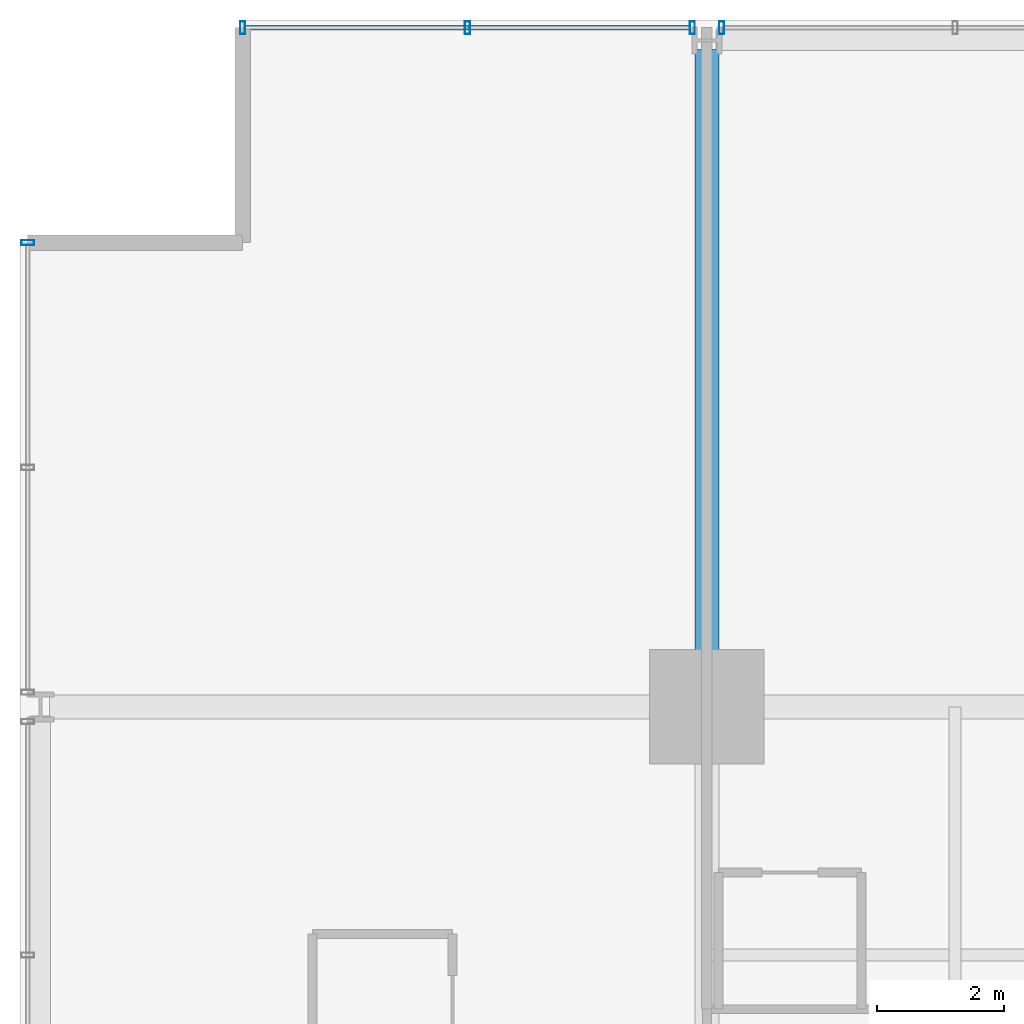
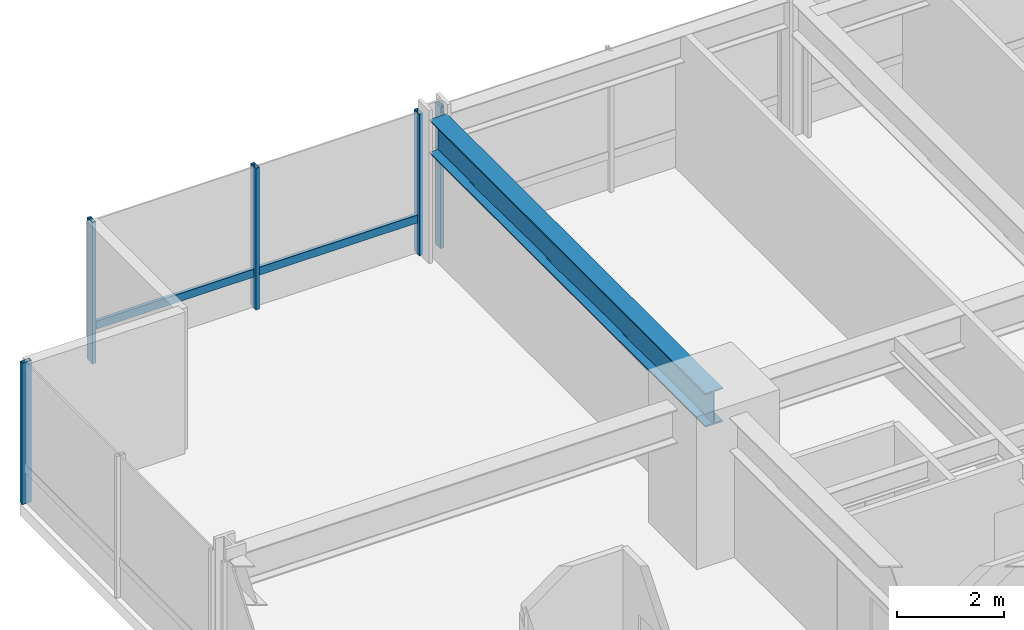
# One storey, part 21 of 38: 6 members, 1 beam, 3 elements without a shape of their own.
"""IFC4 building model written with IfcOpenShell, lengths in metres."""

import ifcopenshell
import ifcopenshell.guid

model = None  # the IFC model being written
_history = None  # IfcOwnerHistory: only IFC2X3 demands one
_inside = {}  # id of a spatial element -> (the spatial element, [elements in it])
_under = {}  # id of a project, library or spatial element -> (it, [spatial elements below it])
_declared = {}  # id of a project -> (the project, [libraries it declares])
_typed = {}  # id of a type object -> (the type object, [elements of that type])
_made_of = {}  # id of a material, layer set ... -> (it, [elements and type objects made of it])


def new_model(schema):
    """Start an empty IFC model of exactly this schema.

    Asked for "IFC4X3", IfcOpenShell would pick the latest addendum, in which some entities
    have other attributes; the version numbers below select the first issue.
    IFC2X3 requires an IfcOwnerHistory on every rooted entity: one is made here for all.
    """
    global model, _history
    if schema == "IFC4X3":
        model = ifcopenshell.file(schema_version=(4, 3, 0, 0))
    else:
        model = ifcopenshell.file(schema=schema)
    _inside.clear()
    _under.clear()
    _declared.clear()
    _typed.clear()
    _made_of.clear()
    _history = None
    if model.schema == "IFC2X3":
        org = make("IfcOrganization", Name="unknown")
        user = make(
            "IfcPersonAndOrganization",
            ThePerson=make("IfcPerson", FamilyName="unknown"),
            TheOrganization=org,
        )
        app = make(
            "IfcApplication",
            ApplicationDeveloper=org,
            Version="unknown",
            ApplicationFullName="unknown",
            ApplicationIdentifier="unknown",
        )
        _history = make(
            "IfcOwnerHistory",
            OwningUser=user,
            OwningApplication=app,
            ChangeAction="ADDED",
            CreationDate=0,
        )
    return model


def make(cls, **values):
    """One entity of the class cls with the attributes given. An attribute that is None is left unset."""
    return model.create_entity(
        cls, **{name: value for name, value in values.items() if value is not None}
    )


def rooted(cls, **values):
    """An entity with a GlobalId (a new one), such as an element, a storey or a relation."""
    return make(cls, GlobalId=ifcopenshell.guid.new(), OwnerHistory=_history, **values)


def si_unit(unit_type, name, prefix=None):
    """IfcSIUnit, for example si_unit("LENGTHUNIT", "METRE", prefix="MILLI")."""
    return make("IfcSIUnit", UnitType=unit_type, Prefix=prefix, Name=name)


def assignment(units):
    """IfcUnitAssignment: the units of a project."""
    return None if units is None else make("IfcUnitAssignment", Units=units)


def point(xyz):
    """IfcCartesianPoint."""
    return None if xyz is None else make("IfcCartesianPoint", Coordinates=xyz)


def direction(xyz):
    """IfcDirection."""
    return None if xyz is None else make("IfcDirection", DirectionRatios=xyz)


def frame(location, z_axis=None, x_axis=None):
    """IfcAxis2Placement3D, a coordinate frame: its origin and axes. An axis left out is left unset."""
    return make(
        "IfcAxis2Placement3D",
        Location=point(location),
        Axis=direction(z_axis),
        RefDirection=direction(x_axis),
    )


def frame_2d(location, x_axis=None):
    """IfcAxis2Placement2D, a coordinate frame in the plane: its origin and x axis."""
    return make(
        "IfcAxis2Placement2D", Location=point(location), RefDirection=direction(x_axis)
    )


def origin():
    """The frame at (0, 0, 0) with its axes left unset."""
    return frame((0.0, 0.0, 0.0))


def origin_2d():
    """The frame at (0, 0) in the plane with its x axis left unset."""
    return frame_2d((0.0, 0.0))


def place(relative_to, where):
    """IfcLocalPlacement: puts the frame where relative to a parent placement (None: the world)."""
    return make(
        "IfcLocalPlacement", PlacementRelTo=relative_to, RelativePlacement=where
    )


def context(
    kind, dimensions, precision=None, world=None, true_north=None, identifier=None
):
    """IfcGeometricRepresentationContext, for example the 3D "Model" context."""
    return make(
        "IfcGeometricRepresentationContext",
        ContextIdentifier=identifier,
        ContextType=kind,
        CoordinateSpaceDimension=dimensions,
        Precision=precision,
        WorldCoordinateSystem=world,
        TrueNorth=true_north,
    )


def subcontext(parent, identifier, kind, view, scale=None):
    """IfcGeometricRepresentationSubContext, for example "Body" below "Model"."""
    return make(
        "IfcGeometricRepresentationSubContext",
        ContextIdentifier=identifier,
        ContextType=kind,
        ParentContext=parent,
        TargetScale=scale,
        TargetView=view,
    )


def project(units=None, contexts=None):
    """IfcProject with its units and contexts."""
    return rooted(
        "IfcProject",
        Name="project",
        RepresentationContexts=contexts,
        UnitsInContext=assignment(units),
    )


def spatial(cls, under=None, at=None, **own):
    """A site, building, storey or space (cls), placed at a placement, below another one or the project."""
    s = rooted(cls, ObjectPlacement=at, **own)
    if under is not None:
        _under.setdefault(under.id(), (under, []))[1].append(s)
    return s


def profile(cls, at=None, kind="AREA", **sizes):
    """A parametric profile (cls). Its sizes go by their IFC names, for example OverallWidth=200.0."""
    return make(cls, ProfileType=kind, Position=at, **sizes)


def hollow_rectangle(**sizes):
    """IfcRectangleHollowProfileDef."""
    return profile("IfcRectangleHollowProfileDef", **sizes)


def i_section(**sizes):
    """IfcIShapeProfileDef."""
    return profile("IfcIShapeProfileDef", **sizes)


def extrude(swept, where, along, depth):
    """IfcExtrudedAreaSolid: the profile swept, set in the frame where, extruded along a direction by depth."""
    return make(
        "IfcExtrudedAreaSolid",
        SweptArea=swept,
        Position=where,
        ExtrudedDirection=direction(along),
        Depth=depth,
    )


def shape(context_of_items, identifier, shape_type, items):
    """IfcShapeRepresentation: the items that make up one representation, for example the "Body"."""
    return make(
        "IfcShapeRepresentation",
        ContextOfItems=context_of_items,
        RepresentationIdentifier=identifier,
        RepresentationType=shape_type,
        Items=items,
    )


def material(Name=None, Category=None):
    """IfcMaterial."""
    return make("IfcMaterial", Name=Name, Category=Category)


def layer(
    of_material, thickness, ventilated=None, Name=None, Category=None, Priority=None
):
    """IfcMaterialLayer: one layer of a wall or slab, of a material (None: an air gap)."""
    return make(
        "IfcMaterialLayer",
        Material=of_material,
        LayerThickness=thickness,
        IsVentilated=ventilated,
        Name=Name,
        Category=Category,
        Priority=Priority,
    )


def layer_set(layers, Name=None):
    """IfcMaterialLayerSet."""
    return make("IfcMaterialLayerSet", MaterialLayers=layers, LayerSetName=Name)


def material_profile(
    of_material, cross_section, Name=None, Category=None, Priority=None
):
    """IfcMaterialProfile: a cross section and its material."""
    return make(
        "IfcMaterialProfile",
        Name=Name,
        Material=of_material,
        Profile=cross_section,
        Priority=Priority,
        Category=Category,
    )


def profile_set(profiles, Name=None, composite=None):
    """IfcMaterialProfileSet."""
    return make(
        "IfcMaterialProfileSet",
        Name=Name,
        MaterialProfiles=profiles,
        CompositeProfile=composite,
    )


def made_of(thing, what):
    """Note that an element or type object is made of a material, layer set ...; save() writes the relation."""
    if what is not None:
        _made_of.setdefault(what.id(), (what, []))[1].append(thing)
    return thing


def type_object(cls, material=None, **own):
    """A type object (cls), such as IfcWallType, which elements share."""
    return made_of(rooted(cls, **own), material)


def element(
    cls,
    number,
    at=None,
    inside=None,
    cuts=None,
    type_object=None,
    material=None,
    context=None,
    identifier="Body",
    shape_type=None,
    held_by="IfcProductDefinitionShape",
    body=None,
    shapes=None,
    **own,
):
    """One element of the class cls, such as IfcWall. Its Tag is "e" and its number.

    at: its placement. inside: the storey or other place that contains it. cuts: it is an
    opening in that element (IfcRelVoidsElement). A single representation is given by context,
    identifier, shape_type and body (its items); several are given by shapes. held_by: the class
    of the entity that holds the representations. save() writes the other relations.
    """
    e = rooted(cls, Tag="e%d" % number, ObjectPlacement=at, **own)
    if body is not None:
        shapes = [shape(context, identifier, shape_type, body)]
    if shapes is not None:
        e.Representation = make(held_by, Representations=shapes)
    if inside is not None:
        _inside.setdefault(inside.id(), (inside, []))[1].append(e)
    if cuts is not None:
        rooted(
            "IfcRelVoidsElement", RelatingBuildingElement=cuts, RelatedOpeningElement=e
        )
    if type_object is not None:
        _typed.setdefault(type_object.id(), (type_object, []))[1].append(e)
    return made_of(e, material)


def aggregate(whole, parts):
    """IfcRelAggregates: a whole, such as a stair, and the parts it consists of."""
    return rooted("IfcRelAggregates", RelatingObject=whole, RelatedObjects=parts)


def save(model, path):
    """Write the relations noted so far, then the file.

    IfcRelAggregates (storeys below a building ...), IfcRelContainedInSpatialStructure (elements
    in a storey), IfcRelDefinesByType, IfcRelAssociatesMaterial and IfcRelDeclares: one each for
    every whole, place, type object, material and project.
    """
    for whole, parts in _under.values():
        aggregate(whole, parts)
    for where, things in _inside.values():
        rooted(
            "IfcRelContainedInSpatialStructure",
            RelatedElements=things,
            RelatingStructure=where,
        )
    for kind, things in _typed.values():
        rooted("IfcRelDefinesByType", RelatedObjects=things, RelatingType=kind)
    for what, things in _made_of.values():
        rooted("IfcRelAssociatesMaterial", RelatedObjects=things, RelatingMaterial=what)
    for by, libraries in _declared.values():
        rooted("IfcRelDeclares", RelatingContext=by, RelatedDefinitions=libraries)
    model.write(path)


model = new_model("IFC4")

# Units and contexts
model_context = context("Model", 3, precision=1e-05, world=origin(), true_north=direction((0.0, 1.0)))
body_context = subcontext(model_context, "Body", "Model", "MODEL_VIEW")
ifc_project = project(units=[si_unit("LENGTHUNIT", "METRE"), si_unit("AREAUNIT", "SQUARE_METRE"), si_unit("VOLUMEUNIT", "CUBIC_METRE"), si_unit("PLANEANGLEUNIT", "RADIAN"), si_unit("MASSUNIT", "GRAM", prefix="KILO")], contexts=[model_context])

# Site, building, storey
site_placement = place(None, origin())
site = spatial("IfcSite", under=ifc_project, at=site_placement, CompositionType="ELEMENT")
building_placement = place(site_placement, origin())
building = spatial("IfcBuilding", under=site, at=building_placement, Name="Drelvath Grand Hotel", CompositionType="ELEMENT")
storey_placement = place(building_placement, frame((0.0, 0.0, 64.699951171875)))
storey = spatial("IfcBuildingStorey", under=building, at=storey_placement, Name="L15", CompositionType="ELEMENT", Elevation=64.699951171875)

# Curtain wall, member
ifc_material_1 = material(Name="Warm Bronze Anodised Aluminium Frame", Category="aluminium")
ifc_layer = layer(ifc_material_1, 0.199951171875)
ifc_layer_set = layer_set([ifc_layer], Name="Warm Bronze Anodised Aluminium Frame")
curtain_wall_type = type_object("IfcCurtainWallType", Name="Stick Curtain Wall CW-02 Warm Bronze Low-Rise", PredefinedType="NOTDEFINED", material=ifc_layer_set)
curtain_wall_1_placement = place(storey_placement, origin())
curtain_wall_1 = element("IfcCurtainWall", 1, at=curtain_wall_1_placement, inside=storey, type_object=curtain_wall_type, Name="L15 CW-02 Curtain Wall CW02-L15-NW1", PredefinedType="NOTDEFINED")
ifc_material_profile_1 = material_profile(ifc_material_1, hollow_rectangle(XDim=0.074951171875, YDim=0.179931640625, WallThickness=0.0048828125, at=origin_2d()), Name="HSS180X75X5")
ifc_profile_set_1 = profile_set([ifc_material_profile_1], Name="Warm Bronze Anodised Aluminium Frame")
member_type_1 = type_object("IfcMemberType", Name="Curtain Wall Horizontal Transom CW-02 HSS180X75X5", PredefinedType="USERDEFINED", material=ifc_profile_set_1)
member_1_placement = place(storey_placement, frame((-23.4599609375, 53.8798828125, 0.81005859375), z_axis=(1.0, 0.0, 0.0), x_axis=(0.0, 1.0, 0.0)))
member_1 = element("IfcMember", 2, at=member_1_placement, type_object=member_type_1, Name="CW02-L15-NW1 Sill Transom", ObjectType="TRANSOM", PredefinedType="USERDEFINED", context=body_context, shape_type="SweptSolid", body=[
    extrude(hollow_rectangle(XDim=0.074951171875, YDim=0.179931640625, WallThickness=0.0048828125, at=origin_2d()), origin(), (0.0, 0.0, 1.0), 6.990966796875),
])

curtain_wall_2_placement = place(storey_placement, origin())
curtain_wall_2 = element("IfcCurtainWall", 3, at=curtain_wall_2_placement, inside=storey, type_object=curtain_wall_type, Name="L15 CW-02 Curtain Wall CW02-L15-WN3", PredefinedType="NOTDEFINED")
ifc_material_profile_2 = material_profile(ifc_material_1, hollow_rectangle(XDim=0.080078125, YDim=0.199951171875, WallThickness=0.0048828125, at=origin_2d()), Name="HSS200X80X5")
ifc_profile_set_2 = profile_set([ifc_material_profile_2], Name="Warm Bronze Anodised Aluminium Frame")
member_type_2 = type_object("IfcMemberType", Name="Curtain Wall Vertical Mullion CW-02 HSS200X80X5", PredefinedType="MULLION", material=ifc_profile_set_2)
member_2_placement = place(storey_placement, frame((-26.8798828125, 50.5, 0.0), z_axis=(0.0, 0.0, 1.0), x_axis=(0.0, 1.0, 0.0)))
member_2 = element("IfcMember", 4, at=member_2_placement, type_object=member_type_2, Name="CW02-L15-WN3 Mullion 3", PredefinedType="MULLION", context=body_context, shape_type="SweptSolid", body=[
    extrude(hollow_rectangle(XDim=0.080078125, YDim=0.199951171875, WallThickness=0.0048828125, at=origin_2d()), origin(), (0.0, 0.0, 1.0), 3.239990234375),
])
aggregate(curtain_wall_2, [member_2])

# Member
member_3_placement = place(storey_placement, frame((-23.5, 53.8798828125, 0.0), z_axis=(0.0, 0.0, 1.0), x_axis=(1.0, 0.0, 0.0)))
member_3 = element("IfcMember", 5, at=member_3_placement, type_object=member_type_2, Name="CW02-L15-NW1 Mullion 1", PredefinedType="MULLION", context=body_context, shape_type="SweptSolid", body=[
    extrude(hollow_rectangle(XDim=0.080078125, YDim=0.199951171875, WallThickness=0.0048828125, at=origin_2d()), origin(), (0.0, 0.0, 1.0), 3.239990234375),
])

member_4_placement = place(storey_placement, frame((-19.964599609375, 53.8798828125, 0.0), z_axis=(0.0, 0.0, 1.0), x_axis=(1.0, 0.0, 0.0)))
member_4 = element("IfcMember", 6, at=member_4_placement, type_object=member_type_2, Name="CW02-L15-NW1 Mullion 2", PredefinedType="MULLION", context=body_context, shape_type="SweptSolid", body=[
    extrude(hollow_rectangle(XDim=0.080078125, YDim=0.199951171875, WallThickness=0.0048828125, at=origin_2d()), origin(), (0.0, 0.0, 1.0), 3.239990234375),
])

member_5_placement = place(storey_placement, frame((-16.42919921875, 53.8798828125, 0.0), z_axis=(0.0, 0.0, 1.0), x_axis=(1.0, 0.0, 0.0)))
member_5 = element("IfcMember", 7, at=member_5_placement, type_object=member_type_2, Name="CW02-L15-NW1 Mullion 3", PredefinedType="MULLION", context=body_context, shape_type="SweptSolid", body=[
    extrude(hollow_rectangle(XDim=0.080078125, YDim=0.199951171875, WallThickness=0.0048828125, at=origin_2d()), origin(), (0.0, 0.0, 1.0), 3.239990234375),
])

aggregate(curtain_wall_1, [member_3, member_4, member_5, member_1])

# Curtain wall, member
curtain_wall_3_placement = place(storey_placement, origin())
curtain_wall_3 = element("IfcCurtainWall", 8, at=curtain_wall_3_placement, inside=storey, type_object=curtain_wall_type, Name="L15 CW-02 Curtain Wall CW02-L15-NW2", PredefinedType="NOTDEFINED")
member_6_placement = place(storey_placement, frame((-15.970947265625, 53.8798828125, 0.0), z_axis=(0.0, 0.0, 1.0), x_axis=(1.0, 0.0, 0.0)))
member_6 = element("IfcMember", 9, at=member_6_placement, type_object=member_type_2, Name="CW02-L15-NW2 Mullion 1", PredefinedType="MULLION", context=body_context, shape_type="SweptSolid", body=[
    extrude(hollow_rectangle(XDim=0.080078125, YDim=0.199951171875, WallThickness=0.0048828125, at=origin_2d()), origin(), (0.0, 0.0, 1.0), 3.239990234375),
])
aggregate(curtain_wall_3, [member_6])

# Beam
ifc_material_2 = material(Name="Steel ASTM A992 Gr 50", Category="steel")
ifc_material_profile_3 = material_profile(ifc_material_2, i_section(OverallWidth=0.380615234375, OverallDepth=0.773193359375, WebThickness=0.0166015625, FlangeThickness=0.027099609375, FilletRadius=0.02490234375, at=origin_2d()), Name="W30X173")
ifc_profile_set_3 = profile_set([ifc_material_profile_3], Name="Steel ASTM A992 Gr 50")
beam_type = type_object("IfcBeamType", Name="Primary Floor Girder W30X173", PredefinedType="BEAM", material=ifc_profile_set_3)
beam_placement = place(storey_placement, frame((-16.199951171875, 43.199951171875, 2.853515625), z_axis=(0.0, 1.0, 0.0), x_axis=(-1.0, 0.0, 0.0)))
element("IfcBeam", 10, at=beam_placement, inside=storey, type_object=beam_type, Name="L15 North Grid Girder 3", PredefinedType="BEAM", context=body_context, shape_type="SweptSolid", body=[
    extrude(i_section(OverallWidth=0.380615234375, OverallDepth=0.773193359375, WebThickness=0.0166015625, FlangeThickness=0.027099609375, FilletRadius=0.02490234375, at=origin_2d()), origin(), (0.0, 0.0, 1.0), 10.340087890625),
])

save(model, "model.ifc")
